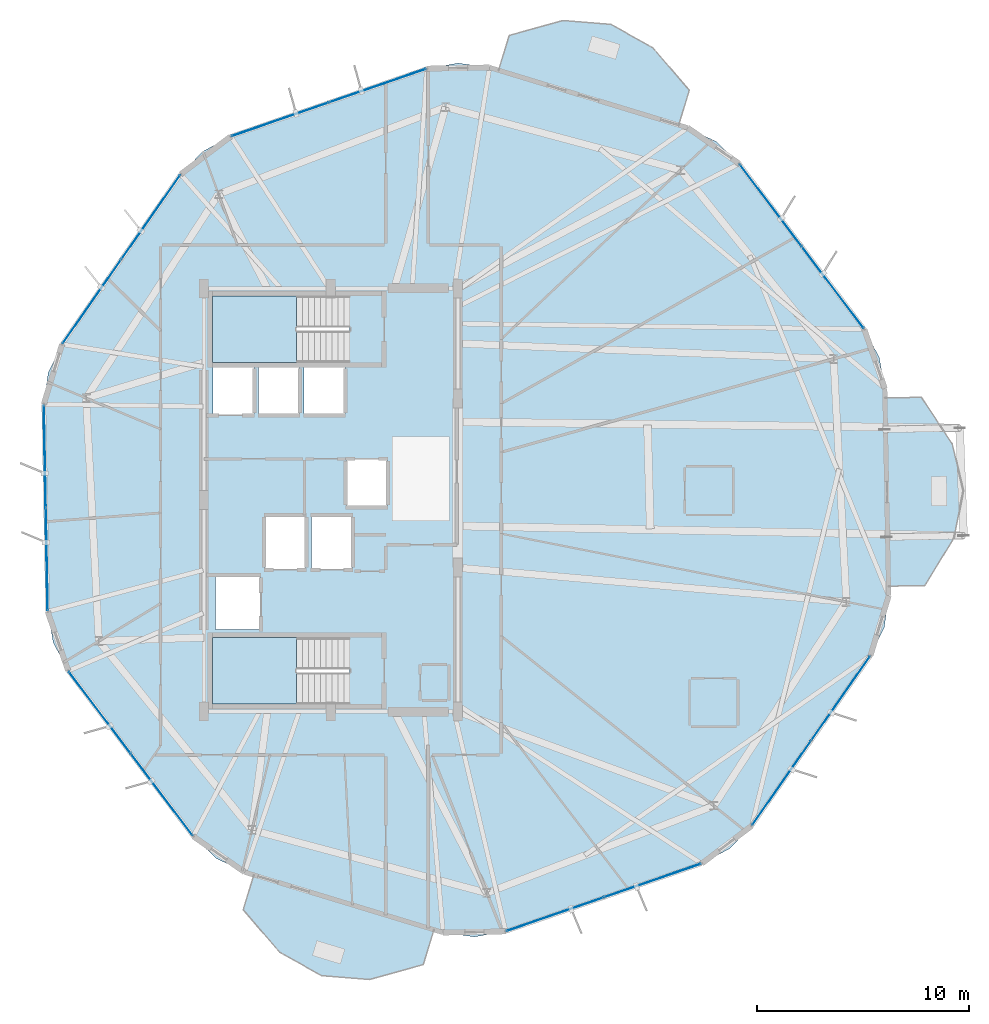
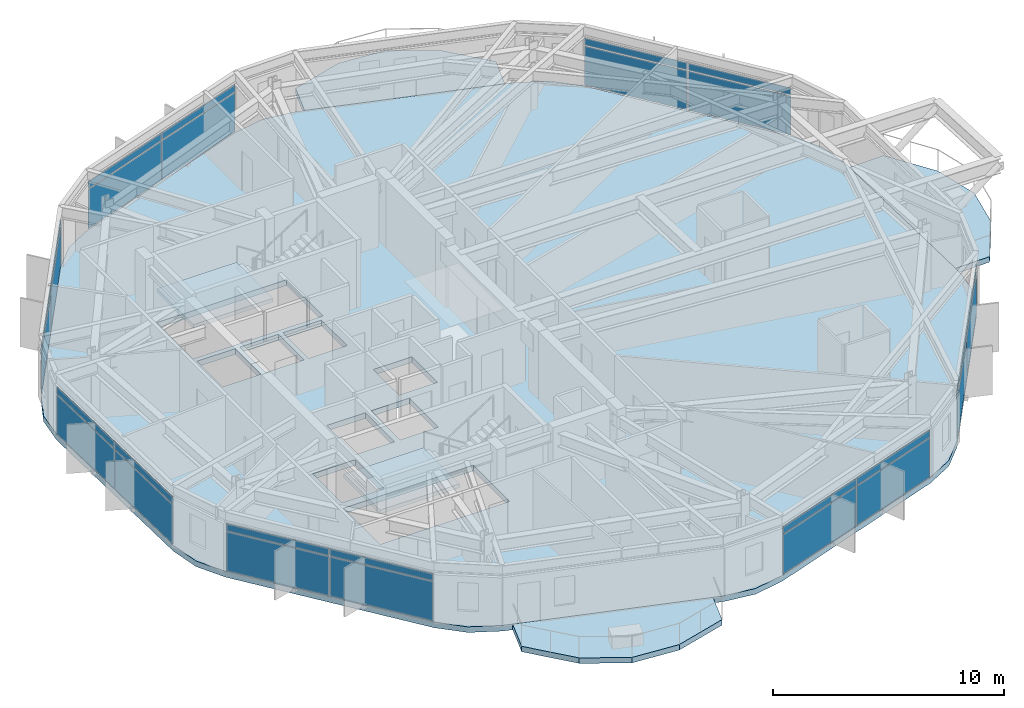
# One storey, part 26 of 34: 28 plates, 6 slabs, 9 elements without a shape of their own.
"""IFC4 building model written with IfcOpenShell, lengths in metres."""

from ifc_helpers import new_model, si_unit, direction, frame, origin, origin_2d, place, context, subcontext, project, spatial, polyline, rectangle, outline, extrude, material, layer, layer_set, type_object, element, aggregate, save


model = new_model("IFC4")

# Units and contexts
model_context = context("Model", 3, precision=1e-05, world=origin(), true_north=direction((0.0, 1.0)))
body_context = subcontext(model_context, "Body", "Model", "MODEL_VIEW")
ifc_project = project(units=[si_unit("LENGTHUNIT", "METRE"), si_unit("AREAUNIT", "SQUARE_METRE"), si_unit("VOLUMEUNIT", "CUBIC_METRE"), si_unit("PLANEANGLEUNIT", "RADIAN"), si_unit("MASSUNIT", "GRAM", prefix="KILO")], contexts=[model_context])

# Site, building, storey
site_placement = place(None, origin())
site = spatial("IfcSite", under=ifc_project, at=site_placement, CompositionType="ELEMENT")
building_placement = place(site_placement, origin())
building = spatial("IfcBuilding", under=site, at=building_placement, Name="Soratama Intermodal Tower", CompositionType="ELEMENT")
storey_placement = place(building_placement, frame((0.0, 0.0, 233.800048828125)))
storey = spatial("IfcBuildingStorey", under=building, at=storey_placement, Name="L59", CompositionType="ELEMENT", Elevation=233.800048828125)

# Curtain wall, plates
ifc_material_1 = material(Name="Double-glazed aluminium curtain wall", Category="aluminium")
ifc_layer_1 = layer(ifc_material_1, 0.159912109375)
ifc_layer_set_1 = layer_set([ifc_layer_1], Name="Double-glazed aluminium curtain wall")
curtain_wall_type = type_object("IfcCurtainWallType", Name="CW-SYS-5", PredefinedType="NOTDEFINED", material=ifc_layer_set_1)
curtain_wall_1_placement = place(storey_placement, origin())
curtain_wall_1 = element("IfcCurtainWall", 1, at=curtain_wall_1_placement, inside=storey, type_object=curtain_wall_type, Name="L59 Faceted Curtain Wall F02", PredefinedType="NOTDEFINED")
ifc_material_2 = material(Name="Low-E laminated double glazing", Category="glass")
ifc_layer_2 = layer(ifc_material_2, 0.02001953125)
ifc_layer_set_2 = layer_set([ifc_layer_2], Name="Low-E laminated double glazing")
plate_type = type_object("IfcPlateType", Name="PT-CWP-5", PredefinedType="CURTAIN_PANEL", material=ifc_layer_set_2)
plate_1_placement = place(storey_placement, frame((40.802978515625, 44.580810546875, 0.059814453125), z_axis=(0.0, 0.0, 1.0), x_axis=(-0.945061040119, -0.326893913141, 0.0)))
plate_1 = element("IfcPlate", 2, at=plate_1_placement, type_object=plate_type, Name="CW-5 panel 1.1", PredefinedType="CURTAIN_PANEL", context=body_context, shape_type="SweptSolid", body=[
    extrude(rectangle(XDim=4.808837890625, YDim=0.028076171875, at=origin_2d()), origin(), (0.0, 0.0, 1.0), 2.06005859375),
])
plate_2_placement = place(storey_placement, frame((40.802978515625, 44.580810546875, 2.179931640625), z_axis=(0.0, 0.0, 1.0), x_axis=(-0.945061040119, -0.326893913141, 0.0)))
plate_2 = element("IfcPlate", 3, at=plate_2_placement, type_object=plate_type, Name="CW-5 panel 1.2", PredefinedType="CURTAIN_PANEL", context=body_context, shape_type="SweptSolid", body=[
    extrude(rectangle(XDim=4.808837890625, YDim=0.028076171875, at=origin_2d()), origin(), (0.0, 0.0, 1.0), 0.35888671875),
])
plate_3_placement = place(storey_placement, frame((36.20166015625, 42.9892578125, 0.059814453125), z_axis=(0.0, 0.0, 1.0), x_axis=(-0.945061040119, -0.326893913141, 0.0)))
plate_3 = element("IfcPlate", 4, at=plate_3_placement, type_object=plate_type, Name="CW-5 panel 2.1", PredefinedType="CURTAIN_PANEL", context=body_context, shape_type="SweptSolid", body=[
    extrude(rectangle(XDim=4.808837890625, YDim=0.028076171875, at=origin_2d()), origin(), (0.0, 0.0, 1.0), 2.06005859375),
])
plate_4_placement = place(storey_placement, frame((36.20166015625, 42.9892578125, 2.179931640625), z_axis=(0.0, 0.0, 1.0), x_axis=(-0.945061040119, -0.326893913141, 0.0)))
plate_4 = element("IfcPlate", 5, at=plate_4_placement, type_object=plate_type, Name="CW-5 panel 2.2", PredefinedType="CURTAIN_PANEL", context=body_context, shape_type="SweptSolid", body=[
    extrude(rectangle(XDim=4.808837890625, YDim=0.028076171875, at=origin_2d()), origin(), (0.0, 0.0, 1.0), 0.35888671875),
])
aggregate(curtain_wall_1, [plate_1, plate_2, plate_3, plate_4])

curtain_wall_2_placement = place(storey_placement, origin())
curtain_wall_2 = element("IfcCurtainWall", 6, at=curtain_wall_2_placement, inside=storey, type_object=curtain_wall_type, Name="L59 Faceted Curtain Wall F03", PredefinedType="NOTDEFINED")
plate_5_placement = place(storey_placement, frame((30.09521484375, 38.37451171875, 0.059814453125), z_axis=(0.0, 0.0, 1.0), x_axis=(-0.572433019465, -0.819951485288, 0.0)))
plate_5 = element("IfcPlate", 7, at=plate_5_placement, type_object=plate_type, Name="CW-5 panel 1.1", PredefinedType="CURTAIN_PANEL", context=body_context, shape_type="SweptSolid", body=[
    extrude(rectangle(XDim=4.808837890625, YDim=0.028076171875, at=origin_2d()), origin(), (0.0, 0.0, 1.0), 2.06005859375),
])
plate_6_placement = place(storey_placement, frame((30.09521484375, 38.37451171875, 2.179931640625), z_axis=(0.0, 0.0, 1.0), x_axis=(-0.572433019465, -0.819951485288, 0.0)))
plate_6 = element("IfcPlate", 8, at=plate_6_placement, type_object=plate_type, Name="CW-5 panel 1.2", PredefinedType="CURTAIN_PANEL", context=body_context, shape_type="SweptSolid", body=[
    extrude(rectangle(XDim=4.808837890625, YDim=0.028076171875, at=origin_2d()), origin(), (0.0, 0.0, 1.0), 0.35888671875),
])
plate_7_placement = place(storey_placement, frame((27.30810546875, 34.382080078125, 0.059814453125), z_axis=(0.0, 0.0, 1.0), x_axis=(-0.572433019465, -0.819951485288, 0.0)))
plate_7 = element("IfcPlate", 9, at=plate_7_placement, type_object=plate_type, Name="CW-5 panel 2.1", PredefinedType="CURTAIN_PANEL", context=body_context, shape_type="SweptSolid", body=[
    extrude(rectangle(XDim=4.808837890625, YDim=0.028076171875, at=origin_2d()), origin(), (0.0, 0.0, 1.0), 2.06005859375),
])
plate_8_placement = place(storey_placement, frame((27.30810546875, 34.382080078125, 2.179931640625), z_axis=(0.0, 0.0, 1.0), x_axis=(-0.572433019465, -0.819951485288, 0.0)))
plate_8 = element("IfcPlate", 10, at=plate_8_placement, type_object=plate_type, Name="CW-5 panel 2.2", PredefinedType="CURTAIN_PANEL", context=body_context, shape_type="SweptSolid", body=[
    extrude(rectangle(XDim=4.808837890625, YDim=0.028076171875, at=origin_2d()), origin(), (0.0, 0.0, 1.0), 0.35888671875),
])
aggregate(curtain_wall_2, [plate_5, plate_6, plate_7, plate_8])

curtain_wall_3_placement = place(storey_placement, origin())
curtain_wall_3 = element("IfcCurtainWall", 11, at=curtain_wall_3_placement, inside=storey, type_object=curtain_wall_type, Name="L59 Faceted Curtain Wall F04", PredefinedType="NOTDEFINED")
plate_9_placement = place(storey_placement, frame((25.08056640625, 27.059326171875, 0.059814453125), z_axis=(0.0, 0.0, 1.0), x_axis=(0.018851476433, -0.999822295129, 0.0)))
plate_9 = element("IfcPlate", 12, at=plate_9_placement, type_object=plate_type, Name="CW-5 panel 1.1", PredefinedType="CURTAIN_PANEL", context=body_context, shape_type="SweptSolid", body=[
    extrude(rectangle(XDim=4.808837890625, YDim=0.028076171875, at=origin_2d()), origin(), (0.0, 0.0, 1.0), 2.06005859375),
])
plate_10_placement = place(storey_placement, frame((25.08056640625, 27.059326171875, 2.179931640625), z_axis=(0.0, 0.0, 1.0), x_axis=(0.018851476433, -0.999822295129, 0.0)))
plate_10 = element("IfcPlate", 13, at=plate_10_placement, type_object=plate_type, Name="CW-5 panel 1.2", PredefinedType="CURTAIN_PANEL", context=body_context, shape_type="SweptSolid", body=[
    extrude(rectangle(XDim=4.808837890625, YDim=0.028076171875, at=origin_2d()), origin(), (0.0, 0.0, 1.0), 0.35888671875),
])
plate_11_placement = place(storey_placement, frame((25.17236328125, 22.19140625, 0.059814453125), z_axis=(0.0, 0.0, 1.0), x_axis=(0.018851476433, -0.999822295129, 0.0)))
plate_11 = element("IfcPlate", 14, at=plate_11_placement, type_object=plate_type, Name="CW-5 panel 2.1", PredefinedType="CURTAIN_PANEL", context=body_context, shape_type="SweptSolid", body=[
    extrude(rectangle(XDim=4.808837890625, YDim=0.028076171875, at=origin_2d()), origin(), (0.0, 0.0, 1.0), 2.06005859375),
])
plate_12_placement = place(storey_placement, frame((25.17236328125, 22.19140625, 2.179931640625), z_axis=(0.0, 0.0, 1.0), x_axis=(0.018851476433, -0.999822295129, 0.0)))
plate_12 = element("IfcPlate", 15, at=plate_12_placement, type_object=plate_type, Name="CW-5 panel 2.2", PredefinedType="CURTAIN_PANEL", context=body_context, shape_type="SweptSolid", body=[
    extrude(rectangle(XDim=4.808837890625, YDim=0.028076171875, at=origin_2d()), origin(), (0.0, 0.0, 1.0), 0.35888671875),
])
aggregate(curtain_wall_3, [plate_9, plate_10, plate_11, plate_12])

curtain_wall_4_placement = place(storey_placement, origin())
curtain_wall_4 = element("IfcCurtainWall", 16, at=curtain_wall_4_placement, inside=storey, type_object=curtain_wall_type, Name="L59 Faceted Curtain Wall F05", PredefinedType="NOTDEFINED")
plate_13_placement = place(storey_placement, frame((27.67431640625, 14.957763671875, 0.059814453125), z_axis=(0.0, 0.0, 1.0), x_axis=(0.602930545689, -0.797793680769, 0.0)))
plate_13 = element("IfcPlate", 17, at=plate_13_placement, type_object=plate_type, Name="CW-5 panel 1.1", PredefinedType="CURTAIN_PANEL", context=body_context, shape_type="SweptSolid", body=[
    extrude(rectangle(XDim=4.808837890625, YDim=0.028076171875, at=origin_2d()), origin(), (0.0, 0.0, 1.0), 2.06005859375),
])
plate_14_placement = place(storey_placement, frame((27.67431640625, 14.957763671875, 2.179931640625), z_axis=(0.0, 0.0, 1.0), x_axis=(0.602930545689, -0.797793680769, 0.0)))
plate_14 = element("IfcPlate", 18, at=plate_14_placement, type_object=plate_type, Name="CW-5 panel 1.2", PredefinedType="CURTAIN_PANEL", context=body_context, shape_type="SweptSolid", body=[
    extrude(rectangle(XDim=4.808837890625, YDim=0.028076171875, at=origin_2d()), origin(), (0.0, 0.0, 1.0), 0.35888671875),
])
plate_15_placement = place(storey_placement, frame((30.60986328125, 11.073486328125, 0.059814453125), z_axis=(0.0, 0.0, 1.0), x_axis=(0.602930545689, -0.797793680769, 0.0)))
plate_15 = element("IfcPlate", 19, at=plate_15_placement, type_object=plate_type, Name="CW-5 panel 2.1", PredefinedType="CURTAIN_PANEL", context=body_context, shape_type="SweptSolid", body=[
    extrude(rectangle(XDim=4.808837890625, YDim=0.028076171875, at=origin_2d()), origin(), (0.0, 0.0, 1.0), 2.06005859375),
])
plate_16_placement = place(storey_placement, frame((30.60986328125, 11.073486328125, 2.179931640625), z_axis=(0.0, 0.0, 1.0), x_axis=(0.602930545689, -0.797793680769, 0.0)))
plate_16 = element("IfcPlate", 20, at=plate_16_placement, type_object=plate_type, Name="CW-5 panel 2.2", PredefinedType="CURTAIN_PANEL", context=body_context, shape_type="SweptSolid", body=[
    extrude(rectangle(XDim=4.808837890625, YDim=0.028076171875, at=origin_2d()), origin(), (0.0, 0.0, 1.0), 0.35888671875),
])
aggregate(curtain_wall_4, [plate_13, plate_14, plate_15, plate_16])

curtain_wall_5_placement = place(storey_placement, origin())
curtain_wall_5 = element("IfcCurtainWall", 21, at=curtain_wall_5_placement, inside=storey, type_object=curtain_wall_type, Name="L59 Faceted Curtain Wall F07", PredefinedType="NOTDEFINED")
plate_17_placement = place(storey_placement, frame((49.197021484375, 5.419189453125, 0.059814453125), z_axis=(0.0, 0.0, 1.0), x_axis=(0.945061040119, 0.326893913141, 0.0)))
plate_17 = element("IfcPlate", 22, at=plate_17_placement, type_object=plate_type, Name="CW-5 panel 1.1", PredefinedType="CURTAIN_PANEL", context=body_context, shape_type="SweptSolid", body=[
    extrude(rectangle(XDim=4.808837890625, YDim=0.028076171875, at=origin_2d()), origin(), (0.0, 0.0, 1.0), 2.06005859375),
])
plate_18_placement = place(storey_placement, frame((49.197021484375, 5.419189453125, 2.179931640625), z_axis=(0.0, 0.0, 1.0), x_axis=(0.945061040119, 0.326893913141, 0.0)))
plate_18 = element("IfcPlate", 23, at=plate_18_placement, type_object=plate_type, Name="CW-5 panel 1.2", PredefinedType="CURTAIN_PANEL", context=body_context, shape_type="SweptSolid", body=[
    extrude(rectangle(XDim=4.808837890625, YDim=0.028076171875, at=origin_2d()), origin(), (0.0, 0.0, 1.0), 0.35888671875),
])
plate_19_placement = place(storey_placement, frame((53.79833984375, 7.0107421875, 0.059814453125), z_axis=(0.0, 0.0, 1.0), x_axis=(0.945061040119, 0.326893913141, 0.0)))
plate_19 = element("IfcPlate", 24, at=plate_19_placement, type_object=plate_type, Name="CW-5 panel 2.1", PredefinedType="CURTAIN_PANEL", context=body_context, shape_type="SweptSolid", body=[
    extrude(rectangle(XDim=4.808837890625, YDim=0.028076171875, at=origin_2d()), origin(), (0.0, 0.0, 1.0), 2.06005859375),
])
plate_20_placement = place(storey_placement, frame((53.79833984375, 7.0107421875, 2.179931640625), z_axis=(0.0, 0.0, 1.0), x_axis=(0.945061040119, 0.326893913141, 0.0)))
plate_20 = element("IfcPlate", 25, at=plate_20_placement, type_object=plate_type, Name="CW-5 panel 2.2", PredefinedType="CURTAIN_PANEL", context=body_context, shape_type="SweptSolid", body=[
    extrude(rectangle(XDim=4.808837890625, YDim=0.028076171875, at=origin_2d()), origin(), (0.0, 0.0, 1.0), 0.35888671875),
])
aggregate(curtain_wall_5, [plate_17, plate_18, plate_19, plate_20])

curtain_wall_6_placement = place(storey_placement, origin())
curtain_wall_6 = element("IfcCurtainWall", 26, at=curtain_wall_6_placement, inside=storey, type_object=curtain_wall_type, Name="L59 Faceted Curtain Wall F08", PredefinedType="NOTDEFINED")
plate_21_placement = place(storey_placement, frame((59.90478515625, 11.62548828125, 0.059814453125), z_axis=(0.0, 0.0, 1.0), x_axis=(0.572433019465, 0.819951485288, 0.0)))
plate_21 = element("IfcPlate", 27, at=plate_21_placement, type_object=plate_type, Name="CW-5 panel 1.1", PredefinedType="CURTAIN_PANEL", context=body_context, shape_type="SweptSolid", body=[
    extrude(rectangle(XDim=4.808837890625, YDim=0.028076171875, at=origin_2d()), origin(), (0.0, 0.0, 1.0), 2.06005859375),
])
plate_22_placement = place(storey_placement, frame((59.90478515625, 11.62548828125, 2.179931640625), z_axis=(0.0, 0.0, 1.0), x_axis=(0.572433019465, 0.819951485288, 0.0)))
plate_22 = element("IfcPlate", 28, at=plate_22_placement, type_object=plate_type, Name="CW-5 panel 1.2", PredefinedType="CURTAIN_PANEL", context=body_context, shape_type="SweptSolid", body=[
    extrude(rectangle(XDim=4.808837890625, YDim=0.028076171875, at=origin_2d()), origin(), (0.0, 0.0, 1.0), 0.35888671875),
])
plate_23_placement = place(storey_placement, frame((62.69189453125, 15.617919921875, 0.059814453125), z_axis=(0.0, 0.0, 1.0), x_axis=(0.572433019465, 0.819951485288, 0.0)))
plate_23 = element("IfcPlate", 29, at=plate_23_placement, type_object=plate_type, Name="CW-5 panel 2.1", PredefinedType="CURTAIN_PANEL", context=body_context, shape_type="SweptSolid", body=[
    extrude(rectangle(XDim=4.808837890625, YDim=0.028076171875, at=origin_2d()), origin(), (0.0, 0.0, 1.0), 2.06005859375),
])
plate_24_placement = place(storey_placement, frame((62.69189453125, 15.617919921875, 2.179931640625), z_axis=(0.0, 0.0, 1.0), x_axis=(0.572433019465, 0.819951485288, 0.0)))
plate_24 = element("IfcPlate", 30, at=plate_24_placement, type_object=plate_type, Name="CW-5 panel 2.2", PredefinedType="CURTAIN_PANEL", context=body_context, shape_type="SweptSolid", body=[
    extrude(rectangle(XDim=4.808837890625, YDim=0.028076171875, at=origin_2d()), origin(), (0.0, 0.0, 1.0), 0.35888671875),
])
aggregate(curtain_wall_6, [plate_21, plate_22, plate_23, plate_24])

curtain_wall_7_placement = place(storey_placement, origin())
curtain_wall_7 = element("IfcCurtainWall", 31, at=curtain_wall_7_placement, inside=storey, type_object=curtain_wall_type, Name="L59 Faceted Curtain Wall F10", PredefinedType="NOTDEFINED")
plate_25_placement = place(storey_placement, frame((62.32568359375, 35.042236328125, 0.059814453125), z_axis=(0.0, 0.0, 1.0), x_axis=(-0.602930545689, 0.797793680769, 0.0)))
plate_25 = element("IfcPlate", 32, at=plate_25_placement, type_object=plate_type, Name="CW-5 panel 1.1", PredefinedType="CURTAIN_PANEL", context=body_context, shape_type="SweptSolid", body=[
    extrude(rectangle(XDim=4.808837890625, YDim=0.028076171875, at=origin_2d()), origin(), (0.0, 0.0, 1.0), 2.06005859375),
])
plate_26_placement = place(storey_placement, frame((62.32568359375, 35.042236328125, 2.179931640625), z_axis=(0.0, 0.0, 1.0), x_axis=(-0.602930545689, 0.797793680769, 0.0)))
plate_26 = element("IfcPlate", 33, at=plate_26_placement, type_object=plate_type, Name="CW-5 panel 1.2", PredefinedType="CURTAIN_PANEL", context=body_context, shape_type="SweptSolid", body=[
    extrude(rectangle(XDim=4.808837890625, YDim=0.028076171875, at=origin_2d()), origin(), (0.0, 0.0, 1.0), 0.35888671875),
])
plate_27_placement = place(storey_placement, frame((59.39013671875, 38.926513671875, 0.059814453125), z_axis=(0.0, 0.0, 1.0), x_axis=(-0.602930545689, 0.797793680769, 0.0)))
plate_27 = element("IfcPlate", 34, at=plate_27_placement, type_object=plate_type, Name="CW-5 panel 2.1", PredefinedType="CURTAIN_PANEL", context=body_context, shape_type="SweptSolid", body=[
    extrude(rectangle(XDim=4.808837890625, YDim=0.028076171875, at=origin_2d()), origin(), (0.0, 0.0, 1.0), 2.06005859375),
])
plate_28_placement = place(storey_placement, frame((59.39013671875, 38.926513671875, 2.179931640625), z_axis=(0.0, 0.0, 1.0), x_axis=(-0.602930545689, 0.797793680769, 0.0)))
plate_28 = element("IfcPlate", 35, at=plate_28_placement, type_object=plate_type, Name="CW-5 panel 2.2", PredefinedType="CURTAIN_PANEL", context=body_context, shape_type="SweptSolid", body=[
    extrude(rectangle(XDim=4.808837890625, YDim=0.028076171875, at=origin_2d()), origin(), (0.0, 0.0, 1.0), 0.35888671875),
])
aggregate(curtain_wall_7, [plate_25, plate_26, plate_27, plate_28])

# Slabs
ifc_material_3 = material(Name="Concrete f'c 42 MPa", Category="concrete")
ifc_layer_3 = layer(ifc_material_3, 0.2900390625)
ifc_layer_set_3 = layer_set([ifc_layer_3], Name="Concrete f'c 42 MPa")
slab_type_1 = type_object("IfcSlabType", Name="SL-EXT-BAL2", PredefinedType="FLOOR", material=ifc_layer_set_3)
slab_1_placement = place(storey_placement, frame((0.0, 0.0, -0.2900390625)))
element("IfcSlab", 36, at=slab_1_placement, inside=storey, type_object=slab_type_1, Name="L59 Planted Balcony East 1", PredefinedType="FLOOR", context=body_context, shape_type="SweptSolid", body=[
    extrude(outline(polyline([(64.95751953125, 20.926513671875), (64.789794921875, 29.82275390625), (66.509521484375, 29.85498046875), (67.96630859375, 27.65771484375), (68.492919921875, 25.44287109375), (68.050048828125, 23.209716796875), (66.677001953125, 20.958984375), (64.95751953125, 20.926513671875)])), origin(), (0.0, 0.0, 1.0), 0.2900390625),
])
slab_2_placement = place(storey_placement, frame((0.0, 0.0, -0.2900390625)))
element("IfcSlab", 37, at=slab_2_placement, inside=storey, type_object=slab_type_1, Name="L59 Planted Balcony North 2", PredefinedType="FLOOR", context=body_context, shape_type="SweptSolid", body=[
    extrude(outline(polyline([(55.041259765625, 42.721923828125), (46.52880859375, 45.311279296875), (47.029296875, 46.95703125), (49.5693359375, 47.66357421875), (51.83837890625, 47.47998046875), (53.825439453125, 46.36865234375), (55.541748046875, 44.367431640625), (55.041259765625, 42.721923828125)])), origin(), (0.0, 0.0, 1.0), 0.2900390625),
])
slab_3_placement = place(storey_placement, frame((0.0, 0.0, -0.2900390625)))
element("IfcSlab", 38, at=slab_3_placement, inside=storey, type_object=slab_type_1, Name="L59 Planted Balcony South 3", PredefinedType="FLOOR", context=body_context, shape_type="SweptSolid", body=[
    extrude(outline(polyline([(34.958740234375, 7.278076171875), (43.47119140625, 4.688720703125), (42.970703125, 3.04296875), (40.4306640625, 2.33642578125), (38.16162109375, 2.52001953125), (36.174560546875, 3.63134765625), (34.458251953125, 5.632568359375), (34.958740234375, 7.278076171875)])), origin(), (0.0, 0.0, 1.0), 0.2900390625),
])

# Stair, slab
ifc_material_4 = material(Name="Concrete f'c 42 MPa", Category="concrete")
stair_type = type_object("IfcStairType", Name="ST-CORE-DOGLEG", PredefinedType="HALF_TURN_STAIR", material=ifc_material_4)
stair_1_placement = place(storey_placement, origin())
stair_1 = element("IfcStair", 39, at=stair_1_placement, inside=storey, type_object=stair_type, Name="L59 ST-1", PredefinedType="HALF_TURN_STAIR")
ifc_material_5 = material(Name="Concrete f'c 42 MPa", Category="concrete")
ifc_layer_4 = layer(ifc_material_5, 0.219970703125)
ifc_layer_set_4 = layer_set([ifc_layer_4], Name="Concrete f'c 42 MPa")
slab_type_2 = type_object("IfcSlabType", Name="SL-STAIR-LAND", PredefinedType="LANDING", material=ifc_layer_set_4)
slab_4_placement = place(storey_placement, frame((0.0, 0.0, 1.599853515625)))
slab_4 = element("IfcSlab", 40, at=slab_4_placement, type_object=slab_type_2, Name="ST-1 landing 1", PredefinedType="LANDING", context=body_context, shape_type="SweptSolid", body=[
    extrude(outline(polyline([(36.97998046875, 18.5), (33.0, 18.5), (33.0, 15.35009765625), (36.97998046875, 15.35009765625), (36.97998046875, 18.5)])), origin(), (0.0, 0.0, 1.0), 0.2001953125),
])
aggregate(stair_1, [slab_4])

stair_2_placement = place(storey_placement, origin())
stair_2 = element("IfcStair", 41, at=stair_2_placement, inside=storey, type_object=stair_type, Name="L59 ST-2", PredefinedType="HALF_TURN_STAIR")
slab_5_placement = place(storey_placement, frame((0.0, 0.0, 1.599853515625)))
slab_5 = element("IfcSlab", 42, at=slab_5_placement, type_object=slab_type_2, Name="ST-2 landing 1", PredefinedType="LANDING", context=body_context, shape_type="SweptSolid", body=[
    extrude(outline(polyline([(36.97998046875, 34.64990234375), (33.0, 34.64990234375), (33.0, 31.5), (36.97998046875, 31.5), (36.97998046875, 34.64990234375)])), origin(), (0.0, 0.0, 1.0), 0.2001953125),
])
aggregate(stair_2, [slab_5])

# Slab
ifc_material_6 = material(Name="Concrete f'c 42 MPa", Category="concrete")
ifc_layer_5 = layer(ifc_material_6, 0.280029296875)
ifc_layer_set_5 = layer_set([ifc_layer_5], Name="Concrete f'c 42 MPa")
slab_type_3 = type_object("IfcSlabType", Name="SL-TWR-280", PredefinedType="FLOOR", material=ifc_layer_set_5)
slab_6_placement = place(storey_placement, frame((0.0, 0.0, -0.300048828125)))
element("IfcSlab", 43, at=slab_6_placement, inside=storey, type_object=slab_type_3, Name="L59 Structural Floor Slab", PredefinedType="FLOOR", context=body_context, shape_type="SweptSolid", body=[
    extrude(outline(polyline([(57.904296875, 40.892578125), (56.822509765625, 41.9345703125), (55.4716796875, 42.5908203125), (46.09814453125, 45.4423828125), (44.610595703125, 45.6494140625), (43.132080078125, 45.386474609375), (33.872802734375, 42.18359375), (32.547607421875, 41.476806640625), (31.506103515625, 40.39501953125), (25.8974609375, 32.361572265625), (25.240966796875, 31.0107421875), (25.0341796875, 29.523193359375), (25.21875, 19.727294921875), (25.481689453125, 18.248779296875), (26.1884765625, 16.923828125), (32.095703125, 9.107421875), (33.177490234375, 8.0654296875), (34.5283203125, 7.4091796875), (43.90185546875, 4.5576171875), (45.389404296875, 4.3505859375), (46.867919921875, 4.613525390625), (56.127197265625, 7.81640625), (57.452392578125, 8.523193359375), (58.493896484375, 9.60498046875), (64.1025390625, 17.638427734375), (64.759033203125, 18.9892578125), (64.9658203125, 20.476806640625), (64.78125, 30.272705078125), (64.518310546875, 31.751220703125), (63.8115234375, 33.076171875), (57.904296875, 40.892578125)]), holes=[polyline([(33.0, 18.5), (33.0, 15.35009765625), (39.47509765625, 15.35009765625), (39.47509765625, 18.5), (33.0, 18.5)]), polyline([(35.260009765625, 21.409912109375), (33.139892578125, 21.409912109375), (33.139892578125, 18.889892578125), (35.260009765625, 18.889892578125), (35.260009765625, 21.409912109375)]), polyline([(37.409912109375, 24.260009765625), (35.489990234375, 24.260009765625), (35.489990234375, 21.739990234375), (37.409912109375, 21.739990234375), (37.409912109375, 24.260009765625)]), polyline([(39.610107421875, 24.260009765625), (37.68994140625, 24.260009765625), (37.68994140625, 21.739990234375), (39.610107421875, 21.739990234375), (39.610107421875, 24.260009765625)]), polyline([(41.260009765625, 26.909912109375), (39.340087890625, 26.909912109375), (39.340087890625, 24.68994140625), (41.260009765625, 24.68994140625), (41.260009765625, 26.909912109375)]), polyline([(34.9599609375, 31.260009765625), (33.0400390625, 31.260009765625), (33.0400390625, 29.0400390625), (34.9599609375, 29.0400390625), (34.9599609375, 31.260009765625)]), polyline([(37.110107421875, 31.260009765625), (35.18994140625, 31.260009765625), (35.18994140625, 29.0400390625), (37.110107421875, 29.0400390625), (37.110107421875, 31.260009765625)]), polyline([(39.260009765625, 29.0400390625), (39.260009765625, 31.260009765625), (37.340087890625, 31.260009765625), (37.340087890625, 29.0400390625), (39.260009765625, 29.0400390625)]), polyline([(39.47509765625, 34.64990234375), (33.0, 34.64990234375), (33.0, 31.5), (39.47509765625, 31.5), (39.47509765625, 34.64990234375)])]), origin(), (0.0, 0.0, 1.0), 0.300048828125),
])

save(model, "model.ifc")
